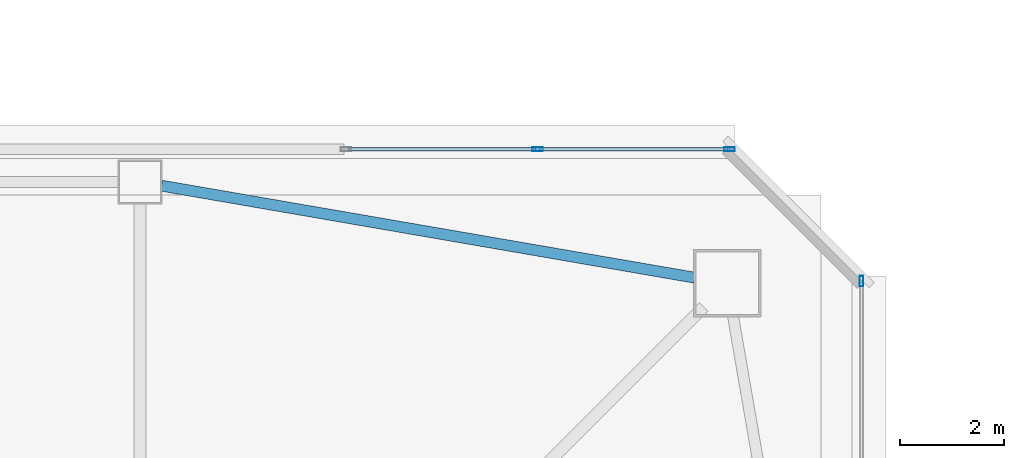
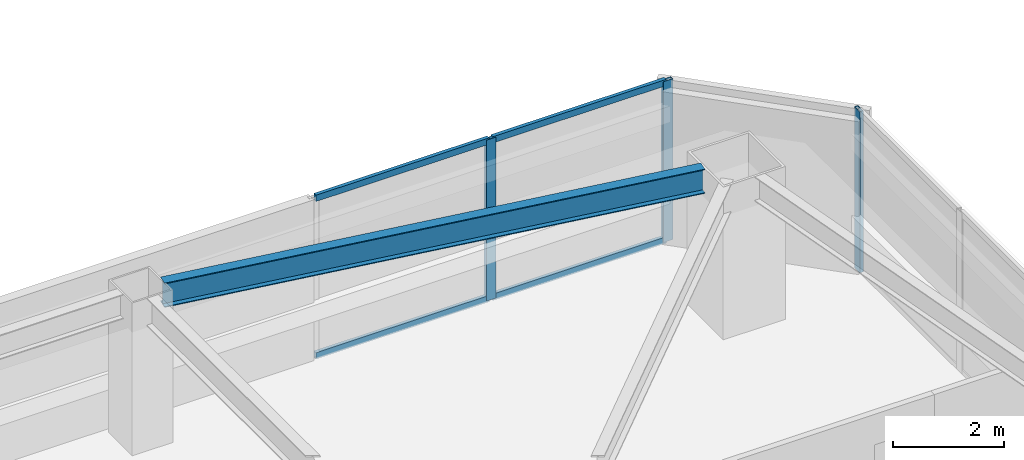
# One storey, part 16 of 44: 7 members, 1 beam, 2 elements without a shape of their own.
"""IFC4 building model written with IfcOpenShell, lengths in metres."""

from ifc_helpers import new_model, si_unit, direction, frame, origin, origin_2d, place, context, subcontext, project, spatial, hollow_rectangle, i_section, extrude, material, material_profile, profile_set, type_object, element, aggregate, save


model = new_model("IFC4")

# Units and contexts
model_context = context("Model", 3, precision=1e-05, world=origin(), true_north=direction((0.0, 1.0)))
body_context = subcontext(model_context, "Body", "Model", "MODEL_VIEW")
ifc_project = project(units=[si_unit("LENGTHUNIT", "METRE"), si_unit("AREAUNIT", "SQUARE_METRE"), si_unit("VOLUMEUNIT", "CUBIC_METRE"), si_unit("PLANEANGLEUNIT", "RADIAN"), si_unit("MASSUNIT", "GRAM", prefix="KILO")], contexts=[model_context])

# Site, building, storey
site_placement = place(None, origin())
site = spatial("IfcSite", under=ifc_project, at=site_placement, CompositionType="ELEMENT")
building_placement = place(site_placement, origin())
building = spatial("IfcBuilding", under=site, at=building_placement, Name="Tashvorn Skyway Center", CompositionType="ELEMENT")
storey_placement = place(building_placement, frame((0.0, 0.0, 128.60009765625)))
storey = spatial("IfcBuildingStorey", under=building, at=storey_placement, Name="L34", CompositionType="ELEMENT", Elevation=128.60009765625)

# Beam
ifc_material_1 = material(Name="Steel ASTM A992 Grade 50", Category="steel")
ifc_material_profile_1 = material_profile(ifc_material_1, i_section(OverallWidth=0.2109375, OverallDepth=0.5390625, WebThickness=0.01171875, FlangeThickness=0.018798828125, at=origin_2d()), Name="W21X73")
ifc_profile_set_1 = profile_set([ifc_material_profile_1], Name="Steel ASTM A992 Grade 50")
beam_type = type_object("IfcBeamType", Name="BM-SPANDREL-W21X73", PredefinedType="SPANDREL", material=ifc_profile_set_1)
beam_placement = place(storey_placement, frame((58.064453125, 48.8095703125, 3.100341796875), z_axis=(-0.985432458462, 0.170067250846, 0.0), x_axis=(-0.170067250846, -0.985432458462, 0.0)))
element("IfcBeam", 1, at=beam_placement, inside=storey, type_object=beam_type, Name="Tower 1 L34 Spandrel Beam 07", PredefinedType="SPANDREL", context=body_context, shape_type="SweptSolid", body=[
    extrude(i_section(OverallWidth=0.2109375, OverallDepth=0.5390625, WebThickness=0.01171875, FlangeThickness=0.018798828125, at=origin_2d()), origin(), (0.0, 0.0, 1.0), 10.402099609375),
])

# Curtain wall, members
ifc_material_2 = material(Name="Thermally broken bronze-anodized aluminium 6063-T6", Category="aluminium")
curtain_wall_type = type_object("IfcCurtainWallType", Name="CW-CW-Z3", PredefinedType="NOTDEFINED", material=ifc_material_2)
curtain_wall_1_placement = place(storey_placement, origin())
curtain_wall_1 = element("IfcCurtainWall", 2, at=curtain_wall_1_placement, inside=storey, type_object=curtain_wall_type, Name="Tower 1 L34 North Unitised Curtain Wall Glazing Group 3", PredefinedType="NOTDEFINED")
ifc_material_profile_2 = material_profile(ifc_material_2, hollow_rectangle(XDim=0.074951171875, YDim=0.199951171875, WallThickness=0.00439453125, at=origin_2d()), Name="ALU-MULL-75x200")
ifc_profile_set_2 = profile_set([ifc_material_profile_2], Name="Thermally broken bronze-anodized aluminium 6063-T6")
member_type_1 = type_object("IfcMemberType", Name="CWM-CW-Z3", PredefinedType="MULLION", material=ifc_profile_set_2)
member_1_placement = place(storey_placement, frame((55.051025390625, 51.280029296875, 0.0), z_axis=(0.0, 0.0, 1.0), x_axis=(0.0, 1.0, 0.0)))
member_1 = element("IfcMember", 3, at=member_1_placement, type_object=member_type_1, Name="CW-Z3 mullion 2", PredefinedType="MULLION", context=body_context, shape_type="SweptSolid", body=[
    extrude(hollow_rectangle(XDim=0.074951171875, YDim=0.199951171875, WallThickness=0.00439453125, at=origin_2d()), origin(), (0.0, 0.0, 1.0), 3.5498046875),
])
member_2_placement = place(storey_placement, frame((58.742431640625, 51.280029296875, 0.0), z_axis=(0.0, 0.0, 1.0), x_axis=(0.0, 1.0, 0.0)))
member_2 = element("IfcMember", 4, at=member_2_placement, type_object=member_type_1, Name="CW-Z3 mullion 3", PredefinedType="MULLION", context=body_context, shape_type="SweptSolid", body=[
    extrude(hollow_rectangle(XDim=0.074951171875, YDim=0.199951171875, WallThickness=0.00439453125, at=origin_2d()), origin(), (0.0, 0.0, 1.0), 3.5498046875),
])

# Curtain wall, member
curtain_wall_2_placement = place(storey_placement, origin())
curtain_wall_2 = element("IfcCurtainWall", 5, at=curtain_wall_2_placement, inside=storey, type_object=curtain_wall_type, Name="Tower 1 L34 East Unitised Curtain Wall Glazing Group 1", PredefinedType="NOTDEFINED")
member_3_placement = place(storey_placement, frame((61.280029296875, 48.742431640625, 0.0), z_axis=(0.0, 0.0, 1.0), x_axis=(1.0, 0.0, 0.0)))
member_3 = element("IfcMember", 6, at=member_3_placement, type_object=member_type_1, Name="CW-Z3 mullion 1", PredefinedType="MULLION", context=body_context, shape_type="SweptSolid", body=[
    extrude(hollow_rectangle(XDim=0.074951171875, YDim=0.199951171875, WallThickness=0.00439453125, at=origin_2d()), origin(), (0.0, 0.0, 1.0), 3.5498046875),
])
aggregate(curtain_wall_2, [member_3])

# Member
ifc_material_profile_3 = material_profile(ifc_material_2, hollow_rectangle(XDim=0.074951171875, YDim=0.139892578125, WallThickness=0.004150390625, at=origin_2d()), Name="ALU-TRAN-75x140")
ifc_profile_set_3 = profile_set([ifc_material_profile_3], Name="Thermally broken bronze-anodized aluminium 6063-T6")
member_type_2 = type_object("IfcMemberType", Name="CWT-CW-Z3", PredefinedType="USERDEFINED", material=ifc_profile_set_3)
member_4_placement = place(storey_placement, frame((51.397216796875, 51.280029296875, 0.037353515625), z_axis=(1.0, 0.0, 0.0), x_axis=(0.0, 1.0, 0.0)))
member_4 = element("IfcMember", 7, at=member_4_placement, type_object=member_type_2, Name="CW-Z3 transom 1.1", ObjectType="TRANSOM", PredefinedType="USERDEFINED", context=body_context, shape_type="SweptSolid", body=[
    extrude(hollow_rectangle(XDim=0.074951171875, YDim=0.139892578125, WallThickness=0.004150390625, at=origin_2d()), origin(), (0.0, 0.0, 1.0), 3.616455078125),
])

member_5_placement = place(storey_placement, frame((51.397216796875, 51.280029296875, 3.512451171875), z_axis=(1.0, 0.0, 0.0), x_axis=(0.0, 1.0, 0.0)))
member_5 = element("IfcMember", 8, at=member_5_placement, type_object=member_type_2, Name="CW-Z3 transom 1.2", ObjectType="TRANSOM", PredefinedType="USERDEFINED", context=body_context, shape_type="SweptSolid", body=[
    extrude(hollow_rectangle(XDim=0.074951171875, YDim=0.139892578125, WallThickness=0.004150390625, at=origin_2d()), origin(), (0.0, 0.0, 1.0), 3.616455078125),
])

member_6_placement = place(storey_placement, frame((55.088623046875, 51.280029296875, 0.037353515625), z_axis=(1.0, 0.0, 0.0), x_axis=(0.0, 1.0, 0.0)))
member_6 = element("IfcMember", 9, at=member_6_placement, type_object=member_type_2, Name="CW-Z3 transom 2.1", ObjectType="TRANSOM", PredefinedType="USERDEFINED", context=body_context, shape_type="SweptSolid", body=[
    extrude(hollow_rectangle(XDim=0.074951171875, YDim=0.139892578125, WallThickness=0.004150390625, at=origin_2d()), origin(), (0.0, 0.0, 1.0), 3.616455078125),
])

member_7_placement = place(storey_placement, frame((55.088623046875, 51.280029296875, 3.512451171875), z_axis=(1.0, 0.0, 0.0), x_axis=(0.0, 1.0, 0.0)))
member_7 = element("IfcMember", 10, at=member_7_placement, type_object=member_type_2, Name="CW-Z3 transom 2.2", ObjectType="TRANSOM", PredefinedType="USERDEFINED", context=body_context, shape_type="SweptSolid", body=[
    extrude(hollow_rectangle(XDim=0.074951171875, YDim=0.139892578125, WallThickness=0.004150390625, at=origin_2d()), origin(), (0.0, 0.0, 1.0), 3.616455078125),
])

aggregate(curtain_wall_1, [member_1, member_2, member_4, member_5, member_6, member_7])

save(model, "model.ifc")
